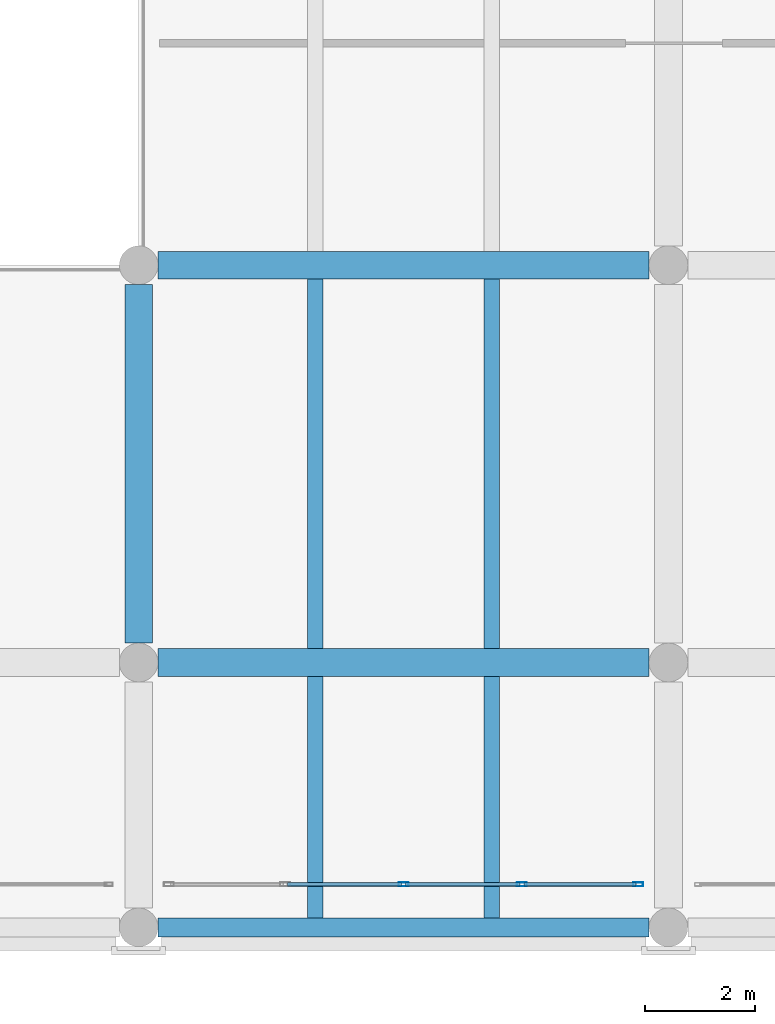
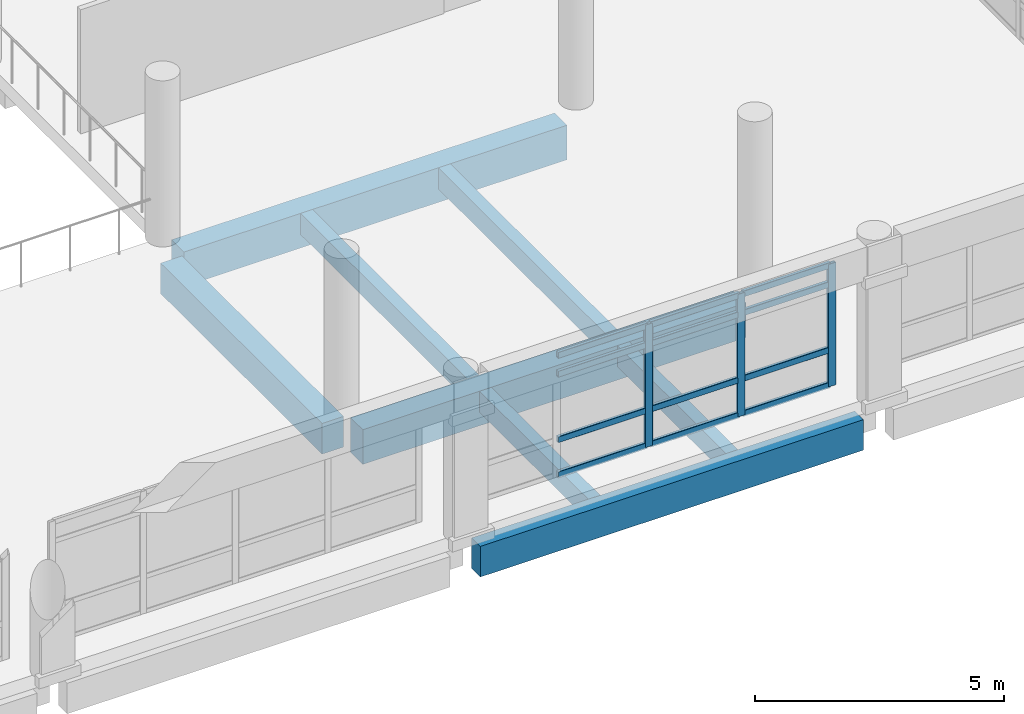
# One storey, part 23 of 180: 15 members, 8 beams, 1 element without a shape of its own.
"""IFC4 building model written with IfcOpenShell, lengths in metres."""

from ifc_helpers import new_model, si_unit, direction, frame, origin, origin_2d, place, context, subcontext, project, spatial, rectangle, hollow_rectangle, extrude, material, layer, layer_set, material_profile, profile_set, type_object, element, aggregate, save


model = new_model("IFC4")

# Units and contexts
model_context = context("Model", 3, precision=1e-05, world=origin(), true_north=direction((0.0, 1.0)))
body_context = subcontext(model_context, "Body", "Model", "MODEL_VIEW")
ifc_project = project(units=[si_unit("LENGTHUNIT", "METRE"), si_unit("AREAUNIT", "SQUARE_METRE"), si_unit("VOLUMEUNIT", "CUBIC_METRE"), si_unit("PLANEANGLEUNIT", "RADIAN"), si_unit("MASSUNIT", "GRAM", prefix="KILO")], contexts=[model_context])

# Site, building, storey
site_placement = place(None, origin())
site = spatial("IfcSite", under=ifc_project, at=site_placement, CompositionType="ELEMENT")
building_placement = place(site_placement, origin())
building = spatial("IfcBuilding", under=site, at=building_placement, Name="Asteropetra Specialist Clinic", CompositionType="ELEMENT")
storey_placement = place(building_placement, frame((0.0, 0.0, 4.419921875)))
storey = spatial("IfcBuildingStorey", under=building, at=storey_placement, Name="L01", CompositionType="ELEMENT", Elevation=4.419921875)

# Beams
ifc_material_1 = material(Name="Concrete C35/45", Category="concrete")
ifc_material_profile_1 = material_profile(ifc_material_1, rectangle(XDim=0.5, YDim=0.75, at=origin_2d()), Name="RCB 500x750")
ifc_profile_set_1 = profile_set([ifc_material_profile_1], Name="Concrete C35/45")
beam_type_1 = type_object("IfcBeamType", Name="BM-RC500x750", PredefinedType="BEAM", material=ifc_profile_set_1)
beam_1_placement = place(storey_placement, frame((38.39990234375, 5.14990234375, -0.71484375), z_axis=(0.0, 1.0, 0.0), x_axis=(-1.0, 0.0, 0.0)))
element("IfcBeam", 1, at=beam_1_placement, inside=storey, type_object=beam_type_1, Name="Beam BBM04-0275", PredefinedType="BEAM", context=body_context, shape_type="SweptSolid", body=[
    extrude(rectangle(XDim=0.5, YDim=0.75, at=origin_2d()), origin(), (0.0, 0.0, 1.0), 6.5),
])
ifc_material_2 = material(Name="Concrete C35/45", Category="concrete")
ifc_material_profile_2 = material_profile(ifc_material_2, rectangle(XDim=0.5, YDim=0.85009765625, at=origin_2d()), Name="RCB 500x850")
ifc_profile_set_2 = profile_set([ifc_material_profile_2], Name="Concrete C35/45")
beam_type_2 = type_object("IfcBeamType", Name="BM-RC500x850", PredefinedType="BEAM", material=ifc_profile_set_2)
for number, where, z_axis, x_axis, name in (
    (2, (38.75, 4.800048828125, -0.764892578125), (1.0, 0.0, 0.0), (0.0, 1.0, 0.0), "Beam BBM03-0236"),
    (3, (38.75, 12.0, -0.764892578125), (1.0, 0.0, 0.0), (0.0, 1.0, 0.0), "Beam BBM03-0240"),
):
    element("IfcBeam", number, at=place(storey_placement, frame(where, z_axis=z_axis, x_axis=x_axis)), inside=storey, type_object=beam_type_2, Name=name, PredefinedType="BEAM", context=body_context, shape_type="SweptSolid", body=[
        extrude(rectangle(XDim=0.5, YDim=0.85009765625, at=origin_2d()), origin(), (0.0, 0.0, 1.0), 8.89990234375),
    ])

# Curtain wall, members
ifc_material_3 = material(Name="Aluminium and low-E glass", Category="aluminium")
ifc_layer = layer(ifc_material_3, 0.14990234375)
ifc_layer_set = layer_set([ifc_layer], Name="Aluminium and low-E glass")
curtain_wall_type = type_object("IfcCurtainWallType", Name="CW-SYS-11", PredefinedType="USERDEFINED", material=ifc_layer_set)
curtain_wall_placement = place(storey_placement, origin())
curtain_wall = element("IfcCurtainWall", 4, at=curtain_wall_placement, inside=storey, type_object=curtain_wall_type, Name="Curtain Wall CW-138", ObjectType="STICK GLAZED COLONNADE", PredefinedType="USERDEFINED")
ifc_material_4 = material(Name="Aluminium 6063-T6", Category="aluminium")
ifc_material_profile_3 = material_profile(ifc_material_4, hollow_rectangle(XDim=0.074951171875, YDim=0.179931640625, WallThickness=0.00390625, InnerFilletRadius=0.00390625, OuterFilletRadius=0.008056640625, at=origin_2d()), Name="MUL 180x75x4.0")
ifc_profile_set_3 = profile_set([ifc_material_profile_3], Name="Aluminium 6063-T6")
member_type_1 = type_object("IfcMemberType", Name="CWM-180x75", PredefinedType="MULLION", material=ifc_profile_set_3)
member_1_placement = place(storey_placement, frame((43.199951171875, 0.780029296875, 0.0), z_axis=(0.0, 0.0, 1.0), x_axis=(0.0, 1.0, 0.0)))
member_1 = element("IfcMember", 5, at=member_1_placement, type_object=member_type_1, Name="CW-138 mullion 3", PredefinedType="MULLION", context=body_context, shape_type="SweptSolid", body=[
    extrude(hollow_rectangle(XDim=0.074951171875, YDim=0.179931640625, WallThickness=0.00390625, InnerFilletRadius=0.00390625, OuterFilletRadius=0.008056640625, at=origin_2d()), origin(), (0.0, 0.0, 1.0), 3.010009765625),
])
member_2_placement = place(storey_placement, frame((45.344970703125, 0.780029296875, 0.0), z_axis=(0.0, 0.0, 1.0), x_axis=(0.0, 1.0, 0.0)))
member_2 = element("IfcMember", 6, at=member_2_placement, type_object=member_type_1, Name="CW-138 mullion 4", PredefinedType="MULLION", context=body_context, shape_type="SweptSolid", body=[
    extrude(hollow_rectangle(XDim=0.074951171875, YDim=0.179931640625, WallThickness=0.00390625, InnerFilletRadius=0.00390625, OuterFilletRadius=0.008056640625, at=origin_2d()), origin(), (0.0, 0.0, 1.0), 3.010009765625),
])
member_3_placement = place(storey_placement, frame((47.452392578125, 0.780029296875, 0.0), z_axis=(0.0, 0.0, 1.0), x_axis=(0.0, 1.0, 0.0)))
member_3 = element("IfcMember", 7, at=member_3_placement, type_object=member_type_1, Name="CW-138 mullion 5", PredefinedType="MULLION", context=body_context, shape_type="SweptSolid", body=[
    extrude(hollow_rectangle(XDim=0.074951171875, YDim=0.179931640625, WallThickness=0.00390625, InnerFilletRadius=0.00390625, OuterFilletRadius=0.008056640625, at=origin_2d()), origin(), (0.0, 0.0, 1.0), 3.010009765625),
])
ifc_material_5 = material(Name="Aluminium 6063-T6", Category="aluminium")
ifc_material_profile_4 = material_profile(ifc_material_5, hollow_rectangle(XDim=0.074951171875, YDim=0.14990234375, WallThickness=0.00390625, InnerFilletRadius=0.00390625, OuterFilletRadius=0.008056640625, at=origin_2d()), Name="TRN 150x75x4.0")
ifc_profile_set_4 = profile_set([ifc_material_profile_4], Name="Aluminium 6063-T6")
member_type_2 = type_object("IfcMemberType", Name="CWT-150x75", PredefinedType="USERDEFINED", material=ifc_profile_set_4)
member_4_placement = place(storey_placement, frame((41.092529296875, 0.780029296875, 0.03759765625), z_axis=(1.0, 0.0, 0.0), x_axis=(0.0, 1.0, 0.0)))
member_4 = element("IfcMember", 8, at=member_4_placement, type_object=member_type_2, Name="CW-138 transom 2.1", ObjectType="TRANSOM", PredefinedType="USERDEFINED", context=body_context, shape_type="SweptSolid", body=[
    extrude(hollow_rectangle(XDim=0.074951171875, YDim=0.14990234375, WallThickness=0.00390625, InnerFilletRadius=0.00390625, OuterFilletRadius=0.008056640625, at=origin_2d()), origin(), (0.0, 0.0, 1.0), 2.070068359375),
])
member_5_placement = place(storey_placement, frame((41.092529296875, 0.780029296875, 0.900146484375), z_axis=(1.0, 0.0, 0.0), x_axis=(0.0, 1.0, 0.0)))
member_5 = element("IfcMember", 9, at=member_5_placement, type_object=member_type_2, Name="CW-138 transom 2.2", ObjectType="TRANSOM", PredefinedType="USERDEFINED", context=body_context, shape_type="SweptSolid", body=[
    extrude(hollow_rectangle(XDim=0.074951171875, YDim=0.14990234375, WallThickness=0.00390625, InnerFilletRadius=0.00390625, OuterFilletRadius=0.008056640625, at=origin_2d()), origin(), (0.0, 0.0, 1.0), 2.070068359375),
])
member_6_placement = place(storey_placement, frame((41.092529296875, 0.780029296875, 2.510009765625), z_axis=(1.0, 0.0, 0.0), x_axis=(0.0, 1.0, 0.0)))
member_6 = element("IfcMember", 10, at=member_6_placement, type_object=member_type_2, Name="CW-138 transom 2.3", ObjectType="TRANSOM", PredefinedType="USERDEFINED", context=body_context, shape_type="SweptSolid", body=[
    extrude(hollow_rectangle(XDim=0.074951171875, YDim=0.14990234375, WallThickness=0.00390625, InnerFilletRadius=0.00390625, OuterFilletRadius=0.008056640625, at=origin_2d()), origin(), (0.0, 0.0, 1.0), 2.070068359375),
])
member_7_placement = place(storey_placement, frame((41.092529296875, 0.780029296875, 2.97265625), z_axis=(1.0, 0.0, 0.0), x_axis=(0.0, 1.0, 0.0)))
member_7 = element("IfcMember", 11, at=member_7_placement, type_object=member_type_2, Name="CW-138 transom 2.4", ObjectType="TRANSOM", PredefinedType="USERDEFINED", context=body_context, shape_type="SweptSolid", body=[
    extrude(hollow_rectangle(XDim=0.074951171875, YDim=0.14990234375, WallThickness=0.00390625, InnerFilletRadius=0.00390625, OuterFilletRadius=0.008056640625, at=origin_2d()), origin(), (0.0, 0.0, 1.0), 2.070068359375),
])
member_8_placement = place(storey_placement, frame((43.237548828125, 0.780029296875, 0.03759765625), z_axis=(1.0, 0.0, 0.0), x_axis=(0.0, 1.0, 0.0)))
member_8 = element("IfcMember", 12, at=member_8_placement, type_object=member_type_2, Name="CW-138 transom 3.1", ObjectType="TRANSOM", PredefinedType="USERDEFINED", context=body_context, shape_type="SweptSolid", body=[
    extrude(hollow_rectangle(XDim=0.074951171875, YDim=0.14990234375, WallThickness=0.00390625, InnerFilletRadius=0.00390625, OuterFilletRadius=0.008056640625, at=origin_2d()), origin(), (0.0, 0.0, 1.0), 2.070068359375),
])
member_9_placement = place(storey_placement, frame((43.237548828125, 0.780029296875, 0.900146484375), z_axis=(1.0, 0.0, 0.0), x_axis=(0.0, 1.0, 0.0)))
member_9 = element("IfcMember", 13, at=member_9_placement, type_object=member_type_2, Name="CW-138 transom 3.2", ObjectType="TRANSOM", PredefinedType="USERDEFINED", context=body_context, shape_type="SweptSolid", body=[
    extrude(hollow_rectangle(XDim=0.074951171875, YDim=0.14990234375, WallThickness=0.00390625, InnerFilletRadius=0.00390625, OuterFilletRadius=0.008056640625, at=origin_2d()), origin(), (0.0, 0.0, 1.0), 2.070068359375),
])
member_10_placement = place(storey_placement, frame((43.237548828125, 0.780029296875, 2.510009765625), z_axis=(1.0, 0.0, 0.0), x_axis=(0.0, 1.0, 0.0)))
member_10 = element("IfcMember", 14, at=member_10_placement, type_object=member_type_2, Name="CW-138 transom 3.3", ObjectType="TRANSOM", PredefinedType="USERDEFINED", context=body_context, shape_type="SweptSolid", body=[
    extrude(hollow_rectangle(XDim=0.074951171875, YDim=0.14990234375, WallThickness=0.00390625, InnerFilletRadius=0.00390625, OuterFilletRadius=0.008056640625, at=origin_2d()), origin(), (0.0, 0.0, 1.0), 2.070068359375),
])
member_11_placement = place(storey_placement, frame((43.237548828125, 0.780029296875, 2.97265625), z_axis=(1.0, 0.0, 0.0), x_axis=(0.0, 1.0, 0.0)))
member_11 = element("IfcMember", 15, at=member_11_placement, type_object=member_type_2, Name="CW-138 transom 3.4", ObjectType="TRANSOM", PredefinedType="USERDEFINED", context=body_context, shape_type="SweptSolid", body=[
    extrude(hollow_rectangle(XDim=0.074951171875, YDim=0.14990234375, WallThickness=0.00390625, InnerFilletRadius=0.00390625, OuterFilletRadius=0.008056640625, at=origin_2d()), origin(), (0.0, 0.0, 1.0), 2.070068359375),
])
member_12_placement = place(storey_placement, frame((45.382568359375, 0.780029296875, 0.03759765625), z_axis=(1.0, 0.0, 0.0), x_axis=(0.0, 1.0, 0.0)))
member_12 = element("IfcMember", 16, at=member_12_placement, type_object=member_type_2, Name="CW-138 transom 4.1", ObjectType="TRANSOM", PredefinedType="USERDEFINED", context=body_context, shape_type="SweptSolid", body=[
    extrude(hollow_rectangle(XDim=0.074951171875, YDim=0.14990234375, WallThickness=0.00390625, InnerFilletRadius=0.00390625, OuterFilletRadius=0.008056640625, at=origin_2d()), origin(), (0.0, 0.0, 1.0), 2.032470703125),
])
member_13_placement = place(storey_placement, frame((45.382568359375, 0.780029296875, 0.900146484375), z_axis=(1.0, 0.0, 0.0), x_axis=(0.0, 1.0, 0.0)))
member_13 = element("IfcMember", 17, at=member_13_placement, type_object=member_type_2, Name="CW-138 transom 4.2", ObjectType="TRANSOM", PredefinedType="USERDEFINED", context=body_context, shape_type="SweptSolid", body=[
    extrude(hollow_rectangle(XDim=0.074951171875, YDim=0.14990234375, WallThickness=0.00390625, InnerFilletRadius=0.00390625, OuterFilletRadius=0.008056640625, at=origin_2d()), origin(), (0.0, 0.0, 1.0), 2.032470703125),
])
member_14_placement = place(storey_placement, frame((45.382568359375, 0.780029296875, 2.510009765625), z_axis=(1.0, 0.0, 0.0), x_axis=(0.0, 1.0, 0.0)))
member_14 = element("IfcMember", 18, at=member_14_placement, type_object=member_type_2, Name="CW-138 transom 4.3", ObjectType="TRANSOM", PredefinedType="USERDEFINED", context=body_context, shape_type="SweptSolid", body=[
    extrude(hollow_rectangle(XDim=0.074951171875, YDim=0.14990234375, WallThickness=0.00390625, InnerFilletRadius=0.00390625, OuterFilletRadius=0.008056640625, at=origin_2d()), origin(), (0.0, 0.0, 1.0), 2.032470703125),
])
member_15_placement = place(storey_placement, frame((45.382568359375, 0.780029296875, 2.97265625), z_axis=(1.0, 0.0, 0.0), x_axis=(0.0, 1.0, 0.0)))
member_15 = element("IfcMember", 19, at=member_15_placement, type_object=member_type_2, Name="CW-138 transom 4.4", ObjectType="TRANSOM", PredefinedType="USERDEFINED", context=body_context, shape_type="SweptSolid", body=[
    extrude(hollow_rectangle(XDim=0.074951171875, YDim=0.14990234375, WallThickness=0.00390625, InnerFilletRadius=0.00390625, OuterFilletRadius=0.008056640625, at=origin_2d()), origin(), (0.0, 0.0, 1.0), 2.032470703125),
])
aggregate(curtain_wall, [member_1, member_2, member_3, member_4, member_5, member_6, member_7, member_8, member_9, member_10, member_11, member_12, member_13, member_14, member_15])

# Beams
ifc_material_6 = material(Name="Concrete C35/45", Category="concrete")
ifc_material_profile_5 = material_profile(ifc_material_6, rectangle(XDim=0.280029296875, YDim=0.52001953125, at=origin_2d()), Name="RCJ 280x520")
ifc_profile_set_5 = profile_set([ifc_material_profile_5], Name="Concrete C35/45")
beam_type_3 = type_object("IfcBeamType", Name="JST-RC280x520", PredefinedType="JOIST", material=ifc_profile_set_5)
for number, where, z_axis, x_axis, name in (
    (20, (41.60009765625, 0.175048828125, -0.599853515625), (0.0, 1.0, 0.0), (-1.0, 0.0, 0.0), "Joist JJST01-0267"),
    (21, (44.800048828125, 0.175048828125, -0.599853515625), (0.0, 1.0, 0.0), (-1.0, 0.0, 0.0), "Joist JJST01-0268"),
):
    element("IfcBeam", number, at=place(storey_placement, frame(where, z_axis=z_axis, x_axis=x_axis)), inside=storey, type_object=beam_type_3, Name=name, PredefinedType="JOIST", context=body_context, shape_type="SweptSolid", body=[
        extrude(rectangle(XDim=0.280029296875, YDim=0.52001953125, at=origin_2d()), origin(), (0.0, 0.0, 1.0), 4.375),
    ])
for number, where, z_axis, x_axis, name in (
    (22, (41.60009765625, 5.050048828125, -0.599853515625), (0.0, 1.0, 0.0), (-1.0, 0.0, 0.0), "Joist JJST01-0282"),
    (23, (44.800048828125, 5.050048828125, -0.599853515625), (0.0, 1.0, 0.0), (-1.0, 0.0, 0.0), "Joist JJST01-0283"),
):
    element("IfcBeam", number, at=place(storey_placement, frame(where, z_axis=z_axis, x_axis=x_axis)), inside=storey, type_object=beam_type_3, Name=name, PredefinedType="JOIST", context=body_context, shape_type="SweptSolid", body=[
        extrude(rectangle(XDim=0.280029296875, YDim=0.52001953125, at=origin_2d()), origin(), (0.0, 0.0, 1.0), 6.699951171875),
    ])
ifc_material_7 = material(Name="Concrete C35/45", Category="concrete")
ifc_material_profile_6 = material_profile(ifc_material_7, rectangle(XDim=0.35009765625, YDim=0.75, at=origin_2d()), Name="RCS 350x750")
ifc_profile_set_6 = profile_set([ifc_material_profile_6], Name="Concrete C35/45")
beam_type_4 = type_object("IfcBeamType", Name="SPN-RC350x750", PredefinedType="SPANDREL", material=ifc_profile_set_6)
beam_2_placement = place(storey_placement, frame((38.75, 0.0, -0.71484375), z_axis=(1.0, 0.0, 0.0), x_axis=(0.0, 1.0, 0.0)))
element("IfcBeam", 24, at=beam_2_placement, inside=storey, type_object=beam_type_4, Name="Beam BSPN01-0230", PredefinedType="SPANDREL", context=body_context, shape_type="SweptSolid", body=[
    extrude(rectangle(XDim=0.35009765625, YDim=0.75, at=origin_2d()), origin(), (0.0, 0.0, 1.0), 8.89990234375),
])

save(model, "model.ifc")
